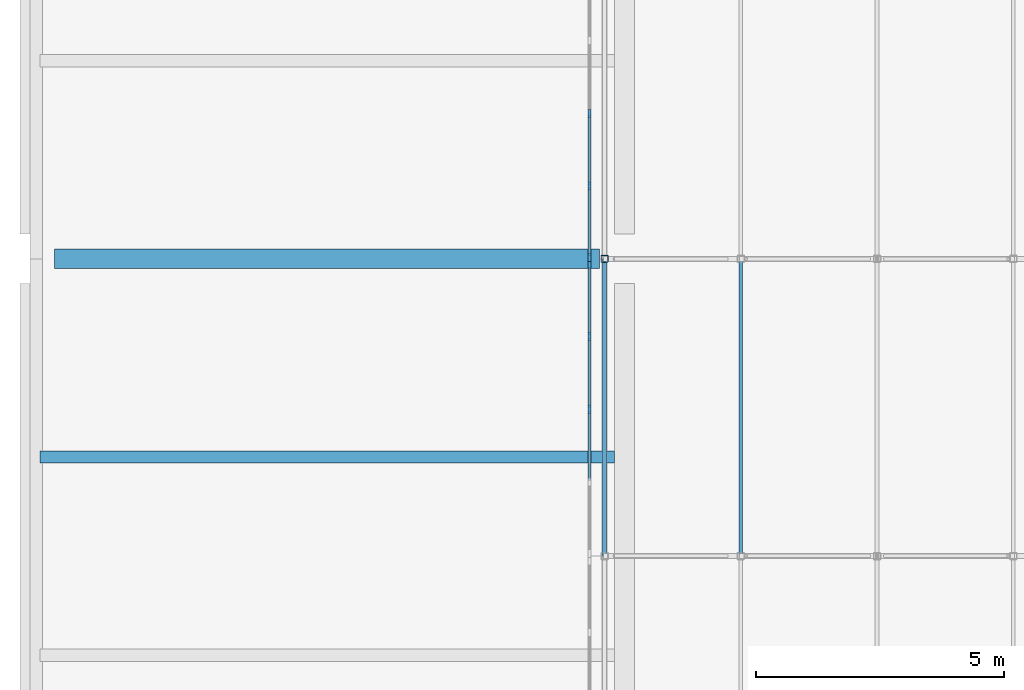
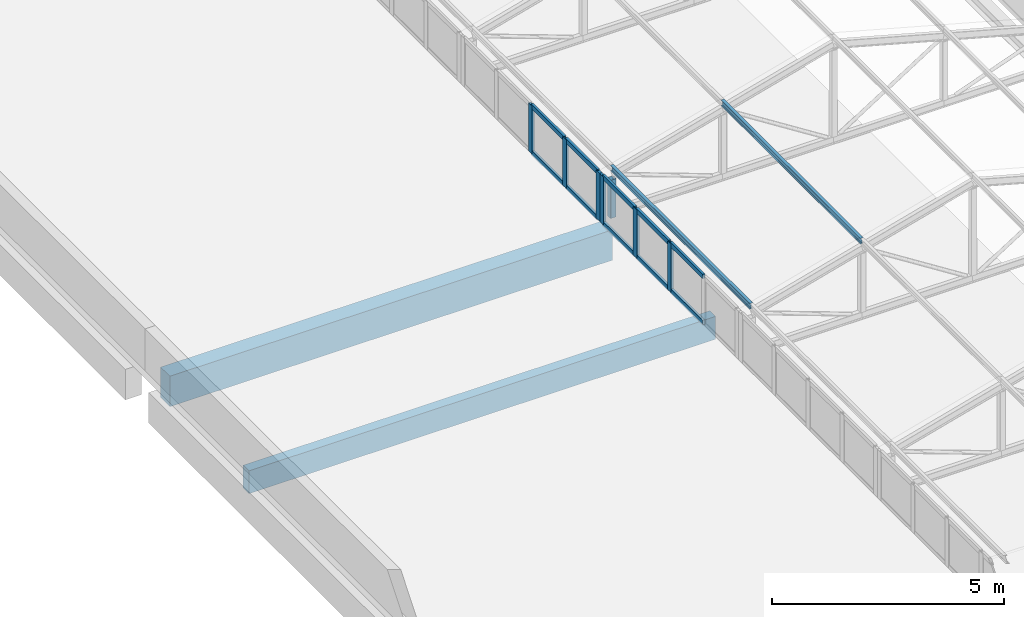
# One storey, part 33 of 94: 19 members, 2 beams, 2 elements without a shape of their own.
"""IFC4 building model written with IfcOpenShell, lengths in metres."""

from ifc_helpers import new_model, si_unit, direction, frame, origin, origin_2d, place, context, subcontext, project, spatial, rectangle, hollow_rectangle, i_section, extrude, material, layer, layer_set, material_profile, profile_set, type_object, element, aggregate, save


model = new_model("IFC4")

# Units and contexts
model_context = context("Model", 3, precision=1e-05, world=origin(), true_north=direction((0.0, 1.0)))
body_context = subcontext(model_context, "Body", "Model", "MODEL_VIEW")
ifc_project = project(units=[si_unit("LENGTHUNIT", "METRE"), si_unit("AREAUNIT", "SQUARE_METRE"), si_unit("VOLUMEUNIT", "CUBIC_METRE"), si_unit("PLANEANGLEUNIT", "RADIAN"), si_unit("MASSUNIT", "GRAM", prefix="KILO")], contexts=[model_context])

# Site, building, storey
site_placement = place(None, origin())
site = spatial("IfcSite", under=ifc_project, at=site_placement, CompositionType="ELEMENT")
building_placement = place(site_placement, origin())
building = spatial("IfcBuilding", under=site, at=building_placement, Name="Lilac Gate Convention Centre", CompositionType="ELEMENT")
storey_placement = place(building_placement, frame((0.0, 0.0, 21.0)))
storey = spatial("IfcBuildingStorey", under=building, at=storey_placement, Name="L04", CompositionType="ELEMENT", Elevation=21.0)

# Curtain wall, members
ifc_material_1 = material(Name="Aluminium framed double glazing", Category="aluminium")
ifc_layer = layer(ifc_material_1, 0.199951171875)
ifc_layer_set = layer_set([ifc_layer], Name="Aluminium framed double glazing")
curtain_wall_type = type_object("IfcCurtainWallType", Name="Unitised curtain wall 1500", PredefinedType="NOTDEFINED", material=ifc_layer_set)
curtain_wall_1_placement = place(storey_placement, origin())
curtain_wall_1 = element("IfcCurtainWall", 1, at=curtain_wall_1_placement, inside=storey, type_object=curtain_wall_type, Name="Lantern clerestory W 18", PredefinedType="NOTDEFINED")
ifc_material_2 = material(Name="Aluminium alloy 6063", Category="aluminium")
ifc_material_profile_1 = material_profile(ifc_material_2, rectangle(XDim=0.06005859375, YDim=0.159912109375, at=origin_2d()), Name="Curtain wall mullion 60 x 160")
ifc_profile_set_1 = profile_set([ifc_material_profile_1], Name="Aluminium alloy 6063")
member_type_1 = type_object("IfcMemberType", Name="Curtain wall mullion 60 x 160", PredefinedType="MULLION", material=ifc_profile_set_1)
member_1_placement = place(storey_placement, frame((17.300048828125, 134.96240234375, 0.0), z_axis=(0.0, 0.0, 1.0), x_axis=(-1.0, 0.0, 0.0)))
member_1 = element("IfcMember", 2, at=member_1_placement, type_object=member_type_1, Name="CW mullion 3", PredefinedType="MULLION", context=body_context, shape_type="SweptSolid", body=[
    extrude(rectangle(XDim=0.06005859375, YDim=0.159912109375, at=origin_2d()), origin(), (0.0, 0.0, 1.0), 1.272216796875),
])
member_2_placement = place(storey_placement, frame((17.300048828125, 136.43115234375, 0.0), z_axis=(0.0, 0.0, 1.0), x_axis=(-1.0, 0.0, 0.0)))
member_2 = element("IfcMember", 3, at=member_2_placement, type_object=member_type_1, Name="CW mullion 4", PredefinedType="MULLION", context=body_context, shape_type="SweptSolid", body=[
    extrude(rectangle(XDim=0.06005859375, YDim=0.159912109375, at=origin_2d()), origin(), (0.0, 0.0, 1.0), 1.272216796875),
])
member_3_placement = place(storey_placement, frame((17.300048828125, 137.869873046875, 0.0), z_axis=(0.0, 0.0, 1.0), x_axis=(-1.0, 0.0, 0.0)))
member_3 = element("IfcMember", 4, at=member_3_placement, type_object=member_type_1, Name="CW mullion 5", PredefinedType="MULLION", context=body_context, shape_type="SweptSolid", body=[
    extrude(rectangle(XDim=0.06005859375, YDim=0.159912109375, at=origin_2d()), origin(), (0.0, 0.0, 1.0), 1.272216796875),
])

curtain_wall_2_placement = place(storey_placement, origin())
curtain_wall_2 = element("IfcCurtainWall", 5, at=curtain_wall_2_placement, inside=storey, type_object=curtain_wall_type, Name="Lantern clerestory W 19", PredefinedType="NOTDEFINED")
member_4_placement = place(storey_placement, frame((17.300048828125, 138.030029296875, 0.0), z_axis=(0.0, 0.0, 1.0), x_axis=(-1.0, 0.0, 0.0)))
member_4 = element("IfcMember", 6, at=member_4_placement, type_object=member_type_1, Name="CW mullion 1", PredefinedType="MULLION", context=body_context, shape_type="SweptSolid", body=[
    extrude(rectangle(XDim=0.06005859375, YDim=0.159912109375, at=origin_2d()), origin(), (0.0, 0.0, 1.0), 1.272216796875),
])
member_5_placement = place(storey_placement, frame((17.300048828125, 139.46875, 0.0), z_axis=(0.0, 0.0, 1.0), x_axis=(-1.0, 0.0, 0.0)))
member_5 = element("IfcMember", 7, at=member_5_placement, type_object=member_type_1, Name="CW mullion 2", PredefinedType="MULLION", context=body_context, shape_type="SweptSolid", body=[
    extrude(rectangle(XDim=0.06005859375, YDim=0.159912109375, at=origin_2d()), origin(), (0.0, 0.0, 1.0), 1.272216796875),
])
member_6_placement = place(storey_placement, frame((17.300048828125, 140.9375, 0.0), z_axis=(0.0, 0.0, 1.0), x_axis=(-1.0, 0.0, 0.0)))
member_6 = element("IfcMember", 8, at=member_6_placement, type_object=member_type_1, Name="CW mullion 3", PredefinedType="MULLION", context=body_context, shape_type="SweptSolid", body=[
    extrude(rectangle(XDim=0.06005859375, YDim=0.159912109375, at=origin_2d()), origin(), (0.0, 0.0, 1.0), 1.272216796875),
])

# Member
ifc_material_profile_2 = material_profile(ifc_material_2, rectangle(XDim=0.06005859375, YDim=0.1201171875, at=origin_2d()), Name="Curtain wall transom 60 x 120")
ifc_profile_set_2 = profile_set([ifc_material_profile_2], Name="Aluminium alloy 6063")
member_type_2 = type_object("IfcMemberType", Name="Curtain wall transom 60 x 120", PredefinedType="USERDEFINED", material=ifc_profile_set_2)
member_7_placement = place(storey_placement, frame((17.300048828125, 133.523681640625, 0.030029296875), z_axis=(0.0, 1.0, 0.0), x_axis=(-1.0, 0.0, 0.0)))
member_7 = element("IfcMember", 9, at=member_7_placement, type_object=member_type_2, Name="CW transom 2.1", ObjectType="TRANSOM", PredefinedType="USERDEFINED", context=body_context, shape_type="SweptSolid", body=[
    extrude(rectangle(XDim=0.06005859375, YDim=0.1201171875, at=origin_2d()), origin(), (0.0, 0.0, 1.0), 1.40869140625),
])

member_8_placement = place(storey_placement, frame((17.300048828125, 133.523681640625, 1.2421875), z_axis=(0.0, 1.0, 0.0), x_axis=(-1.0, 0.0, 0.0)))
member_8 = element("IfcMember", 10, at=member_8_placement, type_object=member_type_2, Name="CW transom 2.2", ObjectType="TRANSOM", PredefinedType="USERDEFINED", context=body_context, shape_type="SweptSolid", body=[
    extrude(rectangle(XDim=0.06005859375, YDim=0.1201171875, at=origin_2d()), origin(), (0.0, 0.0, 1.0), 1.40869140625),
])

member_9_placement = place(storey_placement, frame((17.300048828125, 134.992431640625, 0.030029296875), z_axis=(0.0, 1.0, 0.0), x_axis=(-1.0, 0.0, 0.0)))
member_9 = element("IfcMember", 11, at=member_9_placement, type_object=member_type_2, Name="CW transom 3.1", ObjectType="TRANSOM", PredefinedType="USERDEFINED", context=body_context, shape_type="SweptSolid", body=[
    extrude(rectangle(XDim=0.06005859375, YDim=0.1201171875, at=origin_2d()), origin(), (0.0, 0.0, 1.0), 1.40869140625),
])

member_10_placement = place(storey_placement, frame((17.300048828125, 134.992431640625, 1.2421875), z_axis=(0.0, 1.0, 0.0), x_axis=(-1.0, 0.0, 0.0)))
member_10 = element("IfcMember", 12, at=member_10_placement, type_object=member_type_2, Name="CW transom 3.2", ObjectType="TRANSOM", PredefinedType="USERDEFINED", context=body_context, shape_type="SweptSolid", body=[
    extrude(rectangle(XDim=0.06005859375, YDim=0.1201171875, at=origin_2d()), origin(), (0.0, 0.0, 1.0), 1.40869140625),
])

member_11_placement = place(storey_placement, frame((17.300048828125, 136.461181640625, 0.030029296875), z_axis=(0.0, 1.0, 0.0), x_axis=(-1.0, 0.0, 0.0)))
member_11 = element("IfcMember", 13, at=member_11_placement, type_object=member_type_2, Name="CW transom 4.1", ObjectType="TRANSOM", PredefinedType="USERDEFINED", context=body_context, shape_type="SweptSolid", body=[
    extrude(rectangle(XDim=0.06005859375, YDim=0.1201171875, at=origin_2d()), origin(), (0.0, 0.0, 1.0), 1.378662109375),
])

member_12_placement = place(storey_placement, frame((17.300048828125, 136.461181640625, 1.2421875), z_axis=(0.0, 1.0, 0.0), x_axis=(-1.0, 0.0, 0.0)))
member_12 = element("IfcMember", 14, at=member_12_placement, type_object=member_type_2, Name="CW transom 4.2", ObjectType="TRANSOM", PredefinedType="USERDEFINED", context=body_context, shape_type="SweptSolid", body=[
    extrude(rectangle(XDim=0.06005859375, YDim=0.1201171875, at=origin_2d()), origin(), (0.0, 0.0, 1.0), 1.378662109375),
])

aggregate(curtain_wall_1, [member_1, member_2, member_3, member_7, member_8, member_9, member_10, member_11, member_12])

member_13_placement = place(storey_placement, frame((17.300048828125, 138.06005859375, 0.030029296875), z_axis=(0.0, 1.0, 0.0), x_axis=(-1.0, 0.0, 0.0)))
member_13 = element("IfcMember", 15, at=member_13_placement, type_object=member_type_2, Name="CW transom 1.1", ObjectType="TRANSOM", PredefinedType="USERDEFINED", context=body_context, shape_type="SweptSolid", body=[
    extrude(rectangle(XDim=0.06005859375, YDim=0.1201171875, at=origin_2d()), origin(), (0.0, 0.0, 1.0), 1.378662109375),
])

member_14_placement = place(storey_placement, frame((17.300048828125, 138.06005859375, 1.2421875), z_axis=(0.0, 1.0, 0.0), x_axis=(-1.0, 0.0, 0.0)))
member_14 = element("IfcMember", 16, at=member_14_placement, type_object=member_type_2, Name="CW transom 1.2", ObjectType="TRANSOM", PredefinedType="USERDEFINED", context=body_context, shape_type="SweptSolid", body=[
    extrude(rectangle(XDim=0.06005859375, YDim=0.1201171875, at=origin_2d()), origin(), (0.0, 0.0, 1.0), 1.378662109375),
])

member_15_placement = place(storey_placement, frame((17.300048828125, 139.498779296875, 0.030029296875), z_axis=(0.0, 1.0, 0.0), x_axis=(-1.0, 0.0, 0.0)))
member_15 = element("IfcMember", 17, at=member_15_placement, type_object=member_type_2, Name="CW transom 2.1", ObjectType="TRANSOM", PredefinedType="USERDEFINED", context=body_context, shape_type="SweptSolid", body=[
    extrude(rectangle(XDim=0.06005859375, YDim=0.1201171875, at=origin_2d()), origin(), (0.0, 0.0, 1.0), 1.40869140625),
])

member_16_placement = place(storey_placement, frame((17.300048828125, 139.498779296875, 1.2421875), z_axis=(0.0, 1.0, 0.0), x_axis=(-1.0, 0.0, 0.0)))
member_16 = element("IfcMember", 18, at=member_16_placement, type_object=member_type_2, Name="CW transom 2.2", ObjectType="TRANSOM", PredefinedType="USERDEFINED", context=body_context, shape_type="SweptSolid", body=[
    extrude(rectangle(XDim=0.06005859375, YDim=0.1201171875, at=origin_2d()), origin(), (0.0, 0.0, 1.0), 1.40869140625),
])

aggregate(curtain_wall_2, [member_4, member_5, member_6, member_13, member_14, member_15, member_16])

# Members
ifc_material_3 = material(Name="Steel Q355B", Category="steel")
ifc_material_profile_3 = material_profile(ifc_material_3, hollow_rectangle(XDim=0.139892578125, YDim=0.139892578125, WallThickness=0.0048828125, InnerFilletRadius=0.0048828125, OuterFilletRadius=0.010009765625, at=origin_2d()), Name="SHS140x140x5")
ifc_profile_set_3 = profile_set([ifc_material_profile_3], Name="Steel Q355B")
member_type_3 = type_object("IfcMemberType", Name="Lantern post SHS140x140x5", PredefinedType="STRUT", material=ifc_profile_set_3)
member_17_placement = place(storey_placement, frame((17.60009765625, 138.0, 0.0), z_axis=(0.0, 0.0, 1.0), x_axis=(1.0, 0.0, 0.0)))
element("IfcMember", 19, at=member_17_placement, inside=storey, type_object=member_type_3, Name="LV1 lantern truss 19 post 1", PredefinedType="STRUT", context=body_context, shape_type="SweptSolid", body=[
    extrude(hollow_rectangle(XDim=0.139892578125, YDim=0.139892578125, WallThickness=0.0048828125, InnerFilletRadius=0.0048828125, OuterFilletRadius=0.010009765625, at=origin_2d()), origin(), (0.0, 0.0, 1.0), 1.001953125),
])
ifc_material_profile_4 = material_profile(ifc_material_3, i_section(OverallWidth=0.074951171875, OverallDepth=0.14990234375, WebThickness=0.0048828125, FlangeThickness=0.007080078125, FilletRadius=0.008056640625, at=origin_2d()), Name="HN150x75x5x7")
ifc_profile_set_4 = profile_set([ifc_material_profile_4], Name="Steel Q355B")
member_type_4 = type_object("IfcMemberType", Name="Lantern purlin HN150x75x5x7", PredefinedType="PURLIN", material=ifc_profile_set_4)
for number, where, z_axis, x_axis, name in (
    (20, (17.60009765625, 132.0, 1.279052734375), (0.0, 1.0, 0.0), (-1.0, 0.0, 0.0), "LP1 lantern purlin bay 18 line 1"),
    (21, (20.35009765625, 132.0, 2.029052734375), (0.0, 1.0, 0.0), (-1.0, 0.0, 0.0), "LP1 lantern purlin bay 18 line 2"),
):
    element("IfcMember", number, at=place(storey_placement, frame(where, z_axis=z_axis, x_axis=x_axis)), inside=storey, type_object=member_type_4, Name=name, PredefinedType="PURLIN", context=body_context, shape_type="SweptSolid", body=[
        extrude(i_section(OverallWidth=0.074951171875, OverallDepth=0.14990234375, WebThickness=0.0048828125, FlangeThickness=0.007080078125, FilletRadius=0.008056640625, at=origin_2d()), origin(), (0.0, 0.0, 1.0), 6.0),
    ])

# Beams
ifc_material_4 = material(Name="Concrete C40", Category="concrete")
ifc_material_profile_5 = material_profile(ifc_material_4, rectangle(XDim=0.39990234375, YDim=0.800048828125, at=origin_2d()), Name="RC 400x800")
ifc_profile_set_5 = profile_set([ifc_material_profile_5], Name="Concrete C40")
beam_type_1 = type_object("IfcBeamType", Name="Tower primary beam 400x800 C40", PredefinedType="BEAM", material=ifc_profile_set_5)
beam_1_placement = place(storey_placement, frame((6.5, 138.0, -0.60009765625), z_axis=(1.0, 0.0, 0.0), x_axis=(0.0, 1.0, 0.0)))
element("IfcBeam", 22, at=beam_1_placement, inside=storey, type_object=beam_type_1, Name="RB3 L04 1/K-2/K", PredefinedType="BEAM", context=body_context, shape_type="SweptSolid", body=[
    extrude(rectangle(XDim=0.39990234375, YDim=0.800048828125, at=origin_2d()), origin(), (0.0, 0.0, 1.0), 11.0),
])
ifc_material_profile_6 = material_profile(ifc_material_4, rectangle(XDim=0.25, YDim=0.60009765625, at=origin_2d()), Name="RC 250x600")
ifc_profile_set_6 = profile_set([ifc_material_profile_6], Name="Concrete C40")
beam_type_2 = type_object("IfcBeamType", Name="Tower secondary beam 250x600 C40", PredefinedType="BEAM", material=ifc_profile_set_6)
beam_2_placement = place(storey_placement, frame((6.199951171875, 134.0, -0.5), z_axis=(1.0, 0.0, 0.0), x_axis=(0.0, 1.0, 0.0)))
element("IfcBeam", 23, at=beam_2_placement, inside=storey, type_object=beam_type_2, Name="RB4 L04 bay 1/J", PredefinedType="BEAM", context=body_context, shape_type="SweptSolid", body=[
    extrude(rectangle(XDim=0.25, YDim=0.60009765625, at=origin_2d()), origin(), (0.0, 0.0, 1.0), 11.60009765625),
])

save(model, "model.ifc")
